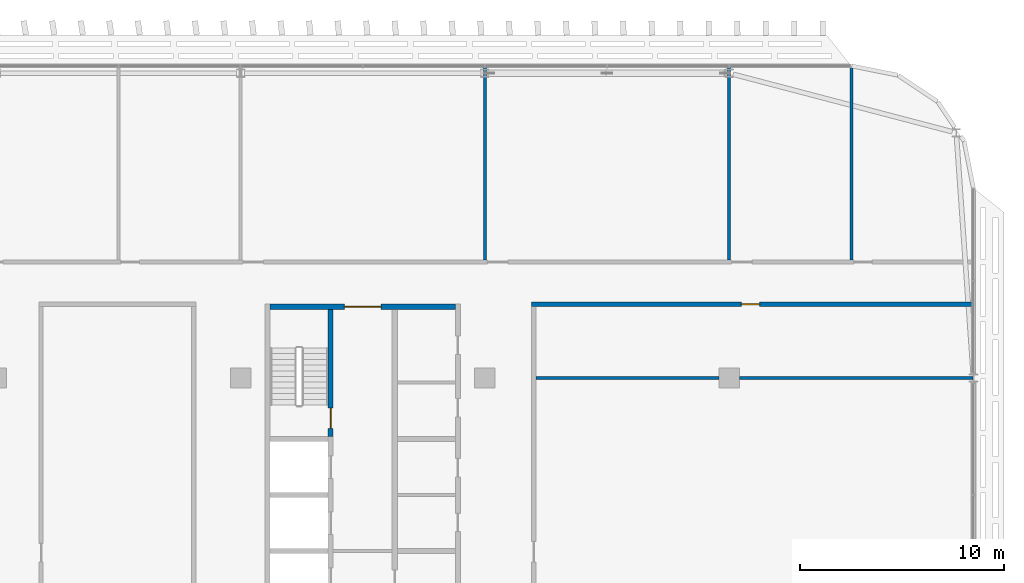
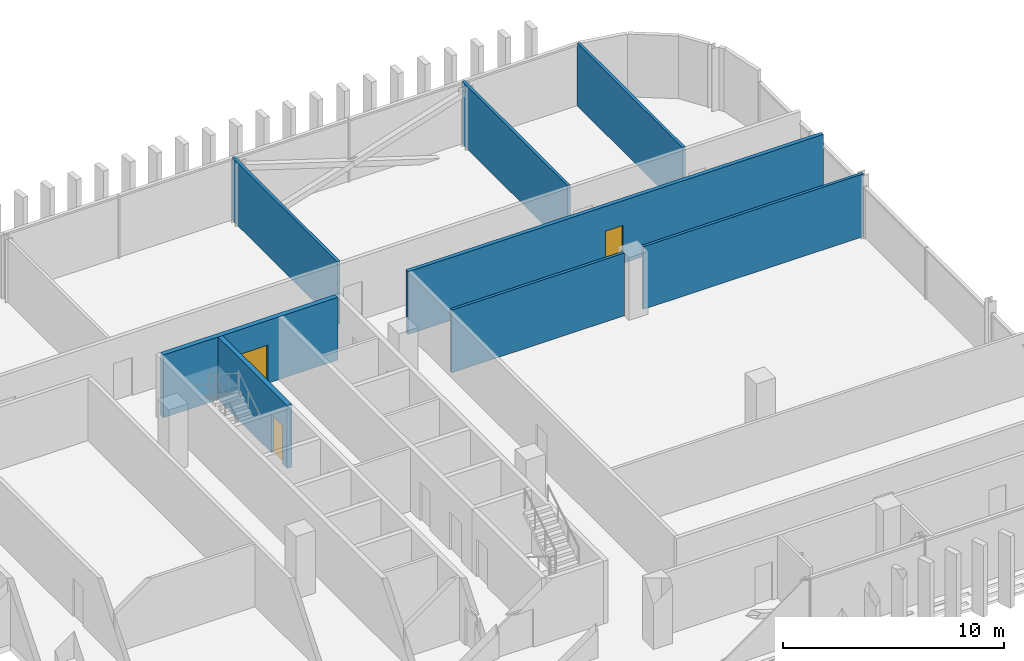
# One storey, part 22 of 35: 8 walls, 3 doors, 3 openings.
"""IFC4 building model written with IfcOpenShell, lengths in metres."""

import ifcopenshell
import ifcopenshell.guid

model = None  # the IFC model being written
_history = None  # IfcOwnerHistory: only IFC2X3 demands one
_inside = {}  # id of a spatial element -> (the spatial element, [elements in it])
_under = {}  # id of a project, library or spatial element -> (it, [spatial elements below it])
_declared = {}  # id of a project -> (the project, [libraries it declares])
_typed = {}  # id of a type object -> (the type object, [elements of that type])
_made_of = {}  # id of a material, layer set ... -> (it, [elements and type objects made of it])


def new_model(schema):
    """Start an empty IFC model of exactly this schema.

    Asked for "IFC4X3", IfcOpenShell would pick the latest addendum, in which some entities
    have other attributes; the version numbers below select the first issue.
    IFC2X3 requires an IfcOwnerHistory on every rooted entity: one is made here for all.
    """
    global model, _history
    if schema == "IFC4X3":
        model = ifcopenshell.file(schema_version=(4, 3, 0, 0))
    else:
        model = ifcopenshell.file(schema=schema)
    _inside.clear()
    _under.clear()
    _declared.clear()
    _typed.clear()
    _made_of.clear()
    _history = None
    if model.schema == "IFC2X3":
        org = make("IfcOrganization", Name="unknown")
        user = make(
            "IfcPersonAndOrganization",
            ThePerson=make("IfcPerson", FamilyName="unknown"),
            TheOrganization=org,
        )
        app = make(
            "IfcApplication",
            ApplicationDeveloper=org,
            Version="unknown",
            ApplicationFullName="unknown",
            ApplicationIdentifier="unknown",
        )
        _history = make(
            "IfcOwnerHistory",
            OwningUser=user,
            OwningApplication=app,
            ChangeAction="ADDED",
            CreationDate=0,
        )
    return model


def make(cls, **values):
    """One entity of the class cls with the attributes given. An attribute that is None is left unset."""
    return model.create_entity(
        cls, **{name: value for name, value in values.items() if value is not None}
    )


def rooted(cls, **values):
    """An entity with a GlobalId (a new one), such as an element, a storey or a relation."""
    return make(cls, GlobalId=ifcopenshell.guid.new(), OwnerHistory=_history, **values)


def si_unit(unit_type, name, prefix=None):
    """IfcSIUnit, for example si_unit("LENGTHUNIT", "METRE", prefix="MILLI")."""
    return make("IfcSIUnit", UnitType=unit_type, Prefix=prefix, Name=name)


def assignment(units):
    """IfcUnitAssignment: the units of a project."""
    return None if units is None else make("IfcUnitAssignment", Units=units)


def point(xyz):
    """IfcCartesianPoint."""
    return None if xyz is None else make("IfcCartesianPoint", Coordinates=xyz)


def direction(xyz):
    """IfcDirection."""
    return None if xyz is None else make("IfcDirection", DirectionRatios=xyz)


def frame(location, z_axis=None, x_axis=None):
    """IfcAxis2Placement3D, a coordinate frame: its origin and axes. An axis left out is left unset."""
    return make(
        "IfcAxis2Placement3D",
        Location=point(location),
        Axis=direction(z_axis),
        RefDirection=direction(x_axis),
    )


def frame_2d(location, x_axis=None):
    """IfcAxis2Placement2D, a coordinate frame in the plane: its origin and x axis."""
    return make(
        "IfcAxis2Placement2D", Location=point(location), RefDirection=direction(x_axis)
    )


def origin():
    """The frame at (0, 0, 0) with its axes left unset."""
    return frame((0.0, 0.0, 0.0))


def place(relative_to, where):
    """IfcLocalPlacement: puts the frame where relative to a parent placement (None: the world)."""
    return make(
        "IfcLocalPlacement", PlacementRelTo=relative_to, RelativePlacement=where
    )


def context(
    kind, dimensions, precision=None, world=None, true_north=None, identifier=None
):
    """IfcGeometricRepresentationContext, for example the 3D "Model" context."""
    return make(
        "IfcGeometricRepresentationContext",
        ContextIdentifier=identifier,
        ContextType=kind,
        CoordinateSpaceDimension=dimensions,
        Precision=precision,
        WorldCoordinateSystem=world,
        TrueNorth=true_north,
    )


def subcontext(parent, identifier, kind, view, scale=None):
    """IfcGeometricRepresentationSubContext, for example "Body" below "Model"."""
    return make(
        "IfcGeometricRepresentationSubContext",
        ContextIdentifier=identifier,
        ContextType=kind,
        ParentContext=parent,
        TargetScale=scale,
        TargetView=view,
    )


def project(units=None, contexts=None):
    """IfcProject with its units and contexts."""
    return rooted(
        "IfcProject",
        Name="project",
        RepresentationContexts=contexts,
        UnitsInContext=assignment(units),
    )


def spatial(cls, under=None, at=None, **own):
    """A site, building, storey or space (cls), placed at a placement, below another one or the project."""
    s = rooted(cls, ObjectPlacement=at, **own)
    if under is not None:
        _under.setdefault(under.id(), (under, []))[1].append(s)
    return s


def profile(cls, at=None, kind="AREA", **sizes):
    """A parametric profile (cls). Its sizes go by their IFC names, for example OverallWidth=200.0."""
    return make(cls, ProfileType=kind, Position=at, **sizes)


def rectangle(**sizes):
    """IfcRectangleProfileDef."""
    return profile("IfcRectangleProfileDef", **sizes)


def extrude(swept, where, along, depth):
    """IfcExtrudedAreaSolid: the profile swept, set in the frame where, extruded along a direction by depth."""
    return make(
        "IfcExtrudedAreaSolid",
        SweptArea=swept,
        Position=where,
        ExtrudedDirection=direction(along),
        Depth=depth,
    )


def shape(context_of_items, identifier, shape_type, items):
    """IfcShapeRepresentation: the items that make up one representation, for example the "Body"."""
    return make(
        "IfcShapeRepresentation",
        ContextOfItems=context_of_items,
        RepresentationIdentifier=identifier,
        RepresentationType=shape_type,
        Items=items,
    )


def material(Name=None, Category=None):
    """IfcMaterial."""
    return make("IfcMaterial", Name=Name, Category=Category)


def layer(
    of_material, thickness, ventilated=None, Name=None, Category=None, Priority=None
):
    """IfcMaterialLayer: one layer of a wall or slab, of a material (None: an air gap)."""
    return make(
        "IfcMaterialLayer",
        Material=of_material,
        LayerThickness=thickness,
        IsVentilated=ventilated,
        Name=Name,
        Category=Category,
        Priority=Priority,
    )


def layer_set(layers, Name=None):
    """IfcMaterialLayerSet."""
    return make("IfcMaterialLayerSet", MaterialLayers=layers, LayerSetName=Name)


def made_of(thing, what):
    """Note that an element or type object is made of a material, layer set ...; save() writes the relation."""
    if what is not None:
        _made_of.setdefault(what.id(), (what, []))[1].append(thing)
    return thing


def type_object(cls, material=None, **own):
    """A type object (cls), such as IfcWallType, which elements share."""
    return made_of(rooted(cls, **own), material)


def element(
    cls,
    number,
    at=None,
    inside=None,
    cuts=None,
    type_object=None,
    material=None,
    context=None,
    identifier="Body",
    shape_type=None,
    held_by="IfcProductDefinitionShape",
    body=None,
    shapes=None,
    **own,
):
    """One element of the class cls, such as IfcWall. Its Tag is "e" and its number.

    at: its placement. inside: the storey or other place that contains it. cuts: it is an
    opening in that element (IfcRelVoidsElement). A single representation is given by context,
    identifier, shape_type and body (its items); several are given by shapes. held_by: the class
    of the entity that holds the representations. save() writes the other relations.
    """
    e = rooted(cls, Tag="e%d" % number, ObjectPlacement=at, **own)
    if body is not None:
        shapes = [shape(context, identifier, shape_type, body)]
    if shapes is not None:
        e.Representation = make(held_by, Representations=shapes)
    if inside is not None:
        _inside.setdefault(inside.id(), (inside, []))[1].append(e)
    if cuts is not None:
        rooted(
            "IfcRelVoidsElement", RelatingBuildingElement=cuts, RelatedOpeningElement=e
        )
    if type_object is not None:
        _typed.setdefault(type_object.id(), (type_object, []))[1].append(e)
    return made_of(e, material)


def fill(opening, filler):
    """IfcRelFillsElement: the door or window that sits in an opening."""
    return rooted(
        "IfcRelFillsElement",
        RelatingOpeningElement=opening,
        RelatedBuildingElement=filler,
    )


def aggregate(whole, parts):
    """IfcRelAggregates: a whole, such as a stair, and the parts it consists of."""
    return rooted("IfcRelAggregates", RelatingObject=whole, RelatedObjects=parts)


def save(model, path):
    """Write the relations noted so far, then the file.

    IfcRelAggregates (storeys below a building ...), IfcRelContainedInSpatialStructure (elements
    in a storey), IfcRelDefinesByType, IfcRelAssociatesMaterial and IfcRelDeclares: one each for
    every whole, place, type object, material and project.
    """
    for whole, parts in _under.values():
        aggregate(whole, parts)
    for where, things in _inside.values():
        rooted(
            "IfcRelContainedInSpatialStructure",
            RelatedElements=things,
            RelatingStructure=where,
        )
    for kind, things in _typed.values():
        rooted("IfcRelDefinesByType", RelatedObjects=things, RelatingType=kind)
    for what, things in _made_of.values():
        rooted("IfcRelAssociatesMaterial", RelatedObjects=things, RelatingMaterial=what)
    for by, libraries in _declared.values():
        rooted("IfcRelDeclares", RelatingContext=by, RelatedDefinitions=libraries)
    model.write(path)


model = new_model("IFC4")

# Units and contexts
model_context = context("Model", 3, precision=1e-05, world=origin(), true_north=direction((0.0, 1.0)))
body_context = subcontext(model_context, "Body", "Model", "MODEL_VIEW")
ifc_project = project(units=[si_unit("LENGTHUNIT", "METRE"), si_unit("AREAUNIT", "SQUARE_METRE"), si_unit("VOLUMEUNIT", "CUBIC_METRE"), si_unit("PLANEANGLEUNIT", "RADIAN"), si_unit("MASSUNIT", "GRAM", prefix="KILO")], contexts=[model_context])

# Site, building, storey
site_placement = place(None, origin())
site = spatial("IfcSite", under=ifc_project, at=site_placement, CompositionType="ELEMENT")
building_placement = place(site_placement, origin())
building = spatial("IfcBuilding", under=site, at=building_placement, Name="Mahtab Terrace Research Tower", CompositionType="ELEMENT")
storey_placement = place(building_placement, frame((0.0, 0.0, 251.39990234375)))
storey = spatial("IfcBuildingStorey", under=building, at=storey_placement, Name="L61", CompositionType="ELEMENT", Elevation=251.39990234375)

# Wall, opening, door
ifc_material_1 = material(Name="Concrete C70/85", Category="concrete")
ifc_layer_1 = layer(ifc_material_1, 0.25)
ifc_layer_set_1 = layer_set([ifc_layer_1], Name="Core wall 250")
wall_type_1 = type_object("IfcWallType", Name="Core wall 250", PredefinedType="SOLIDWALL", material=ifc_layer_set_1)
wall_1_placement = place(storey_placement, frame((19.449951171875, 15.0, 0.0), z_axis=(0.0, 0.0, 1.0), x_axis=(1.0, 0.0, 0.0)))
wall_1 = element("IfcWall", 1, at=wall_1_placement, inside=storey, type_object=wall_type_1, Name="Core wall C endN", PredefinedType="SOLIDWALL", context=body_context, shape_type="SweptSolid", body=[
    extrude(rectangle(XDim=9.10009765625, YDim=0.25, at=frame_2d((4.550048828125, 0.0))), origin(), (0.0, 0.0, 1.0), 3.460205078125),
])
opening_1_placement = place(wall_1_placement, frame((3.64990234375, 0.0, 0.0)))
opening_1 = element("IfcOpeningElement", 2, at=opening_1_placement, cuts=wall_1, Name="Opening C-N1", PredefinedType="OPENING", context=body_context, shape_type="SweptSolid", body=[
    extrude(rectangle(XDim=1.800048828125, YDim=2.10009765625, at=frame_2d((0.89990234375, 1.050048828125))), frame((0.0, 0.135009765625, 0.0), z_axis=(0.0, -1.0, 0.0), x_axis=(1.0, 0.0, 0.0)), (0.0, 0.0, 1.0), 0.27001953125),
])
ifc_material_2 = material(Name="Steel fire door", Category="steel")
door_type_1 = type_object("IfcDoorType", Name="Lobby double door 1800x2100 1 HR", OperationType="DOUBLE_DOOR_SINGLE_SWING", PredefinedType="DOOR", material=ifc_material_2)
door_1_placement = place(opening_1_placement, origin())
door_1 = element("IfcDoor", 3, at=door_1_placement, inside=storey, type_object=door_type_1, Name="Core entrance door C N", OperationType="DOUBLE_DOOR_SINGLE_SWING", OverallHeight=2.10009765625, OverallWidth=1.800048828125, PredefinedType="DOOR", context=body_context, shape_type="SweptSolid", body=[
    extrude(rectangle(XDim=1.800048828125, YDim=2.10009765625, at=frame_2d((0.89990234375, 1.050048828125))), frame((0.0, 0.02490234375, 0.0), z_axis=(0.0, -1.0, 0.0), x_axis=(1.0, 0.0, 0.0)), (0.0, 0.0, 1.0), 0.050048828125),
])
fill(opening_1, door_1)

wall_2_placement = place(storey_placement, frame((22.425048828125, 14.875, 0.0), z_axis=(0.0, 0.0, 1.0), x_axis=(0.0, -1.0, 0.0)))
wall_2 = element("IfcWall", 4, at=wall_2_placement, inside=storey, type_object=wall_type_1, Name="Core wall C innerWN", PredefinedType="SOLIDWALL", context=body_context, shape_type="SweptSolid", body=[
    extrude(rectangle(XDim=6.25, YDim=0.25, at=frame_2d((3.125, 0.0))), origin(), (0.0, 0.0, 1.0), 3.460205078125),
])
opening_2_placement = place(wall_2_placement, frame((4.85009765625, 0.0, 0.0)))
opening_2 = element("IfcOpeningElement", 5, at=opening_2_placement, cuts=wall_2, Name="Opening C-ST3", PredefinedType="OPENING", context=body_context, shape_type="SweptSolid", body=[
    extrude(rectangle(XDim=1.0, YDim=2.10009765625, at=frame_2d((0.5, 1.050048828125))), frame((0.0, 0.135009765625, 0.0), z_axis=(0.0, -1.0, 0.0), x_axis=(1.0, 0.0, 0.0)), (0.0, 0.0, 1.0), 0.27001953125),
])
door_type_2 = type_object("IfcDoorType", Name="Stair door 1000x2100 1.5 HR", OperationType="NOTDEFINED", PredefinedType="DOOR", material=ifc_material_2)
door_2_placement = place(opening_2_placement, origin())
door_2 = element("IfcDoor", 6, at=door_2_placement, inside=storey, type_object=door_type_2, Name="Stair door ST3 L61", OperationType="SINGLE_SWING_LEFT", OverallHeight=2.10009765625, OverallWidth=1.0, PredefinedType="DOOR", context=body_context, shape_type="SweptSolid", body=[
    extrude(rectangle(XDim=1.0, YDim=2.10009765625, at=frame_2d((0.5, 1.050048828125))), frame((0.0, 0.02490234375, 0.0), z_axis=(0.0, -1.0, 0.0), x_axis=(1.0, 0.0, 0.0)), (0.0, 0.0, 1.0), 0.050048828125),
])
fill(opening_2, door_2)

ifc_material_3 = material(Name="Gypsum board corridor wall on steel studs", Category="steel")
ifc_layer_2 = layer(ifc_material_3, 0.199951171875)
ifc_layer_set_2 = layer_set([ifc_layer_2], Name="WALL CORRIDOR 200")
wall_type_2 = type_object("IfcWallType", Name="WALL CORRIDOR 200", PredefinedType="PARTITIONING", material=ifc_layer_set_2)
wall_3_placement = place(storey_placement, frame((32.300048828125, 15.125, 0.0), z_axis=(0.0, 0.0, 1.0), x_axis=(1.0, 0.0, 0.0)))
wall_3 = element("IfcWall", 7, at=wall_3_placement, inside=storey, type_object=wall_type_2, Name="L61-W023", PredefinedType="PARTITIONING", context=body_context, shape_type="SweptSolid", body=[
    extrude(rectangle(XDim=21.675048828125, YDim=0.199951171875, at=frame_2d((10.83740234375, 0.0))), origin(), (0.0, 0.0, 1.0), 3.460205078125),
])
opening_3_placement = place(wall_3_placement, frame((10.300048828125, 0.0, 0.0)))
opening_3 = element("IfcOpeningElement", 8, at=opening_3_placement, cuts=wall_3, Name="Opening L61-123", PredefinedType="OPENING", context=body_context, shape_type="SweptSolid", body=[
    extrude(rectangle(XDim=0.89990234375, YDim=2.10009765625, at=frame_2d((0.449951171875, 1.050048828125))), frame((0.0, 0.10986328125, 0.0), z_axis=(0.0, -1.0, 0.0), x_axis=(1.0, 0.0, 0.0)), (0.0, 0.0, 1.0), 0.219970703125),
])
ifc_material_4 = material(Name="Timber door leaf in steel frame", Category="steel")
door_type_3 = type_object("IfcDoorType", Name="DOOR 0900X2100 FD30S", OperationType="SINGLE_SWING_LEFT", PredefinedType="DOOR", material=ifc_material_4)
door_3_placement = place(opening_3_placement, origin())
door_3 = element("IfcDoor", 9, at=door_3_placement, inside=storey, type_object=door_type_3, Name="Door L61-123", OperationType="SINGLE_SWING_RIGHT", OverallHeight=2.10009765625, OverallWidth=0.89990234375, PredefinedType="DOOR", context=body_context, shape_type="SweptSolid", body=[
    extrude(rectangle(XDim=0.89990234375, YDim=2.10009765625, at=frame_2d((0.449951171875, 1.050048828125))), frame((0.0, 0.02490234375, 0.0), z_axis=(0.0, -1.0, 0.0), x_axis=(1.0, 0.0, 0.0)), (0.0, 0.0, 1.0), 0.050048828125),
])
fill(opening_3, door_3)

# Walls
ifc_material_5 = material(Name="Gypsum board partition on steel studs", Category="steel")
ifc_layer_3 = layer(ifc_material_5, 0.14990234375)
ifc_layer_set_3 = layer_set([ifc_layer_3], Name="WALL PARTITION 150")
wall_type_3 = type_object("IfcWallType", Name="WALL PARTITION 150", PredefinedType="PARTITIONING", material=ifc_layer_set_3)
wall_4_placement = place(storey_placement, frame((32.5, 11.5, 0.0), z_axis=(0.0, 0.0, 1.0), x_axis=(1.0, 0.0, 0.0)))
element("IfcWall", 10, at=wall_4_placement, inside=storey, type_object=wall_type_3, Name="L61-W018", PredefinedType="PARTITIONING", context=body_context, shape_type="SweptSolid", body=[
    extrude(rectangle(XDim=9.0, YDim=0.14990234375, at=frame_2d((4.5, 0.0))), origin(), (0.0, 0.0, 1.0), 3.460205078125),
])
wall_5_placement = place(storey_placement, frame((42.5, 11.5, 0.0), z_axis=(0.0, 0.0, 1.0), x_axis=(1.0, 0.0, 0.0)))
element("IfcWall", 11, at=wall_5_placement, inside=storey, type_object=wall_type_3, Name="L61-W019", PredefinedType="PARTITIONING", context=body_context, shape_type="SweptSolid", body=[
    extrude(rectangle(XDim=11.47509765625, YDim=0.14990234375, at=frame_2d((5.737548828125, 0.0))), origin(), (0.0, 0.0, 1.0), 3.460205078125),
])
for number, where, z_axis, x_axis, name in (
    (12, (30.0, 17.300048828125, 0.0), (0.0, 0.0, 1.0), (0.0, 1.0, 0.0), "L61-W045"),
    (13, (42.0, 17.300048828125, 0.0), (0.0, 0.0, 1.0), (0.0, 1.0, 0.0), "L61-W048"),
    (14, (48.0, 17.300048828125, 0.0), (0.0, 0.0, 1.0), (0.0, 1.0, 0.0), "L61-W050"),
):
    element("IfcWall", number, at=place(storey_placement, frame(where, z_axis=z_axis, x_axis=x_axis)), inside=storey, type_object=wall_type_3, Name=name, PredefinedType="PARTITIONING", context=body_context, shape_type="SweptSolid", body=[
        extrude(rectangle(XDim=9.509033203125, YDim=0.14990234375, at=frame_2d((4.75439453125, 0.0))), origin(), (0.0, 0.0, 1.0), 3.460205078125),
    ])

save(model, "model.ifc")
